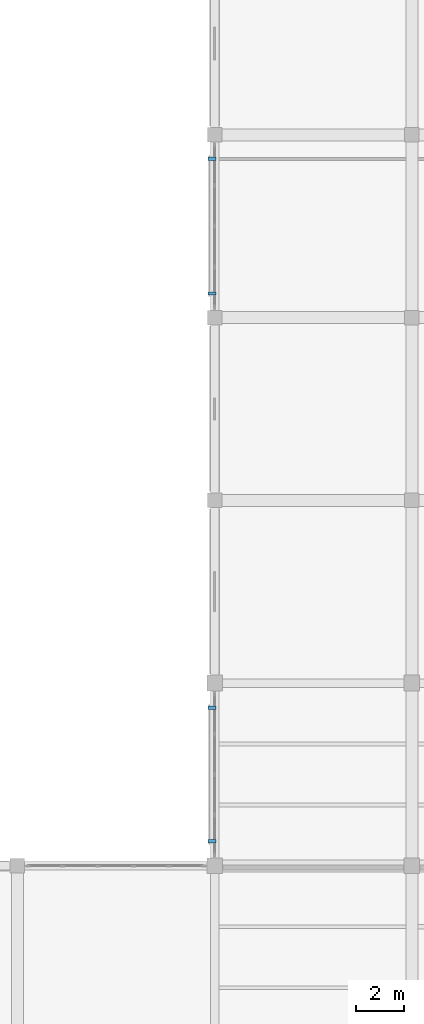
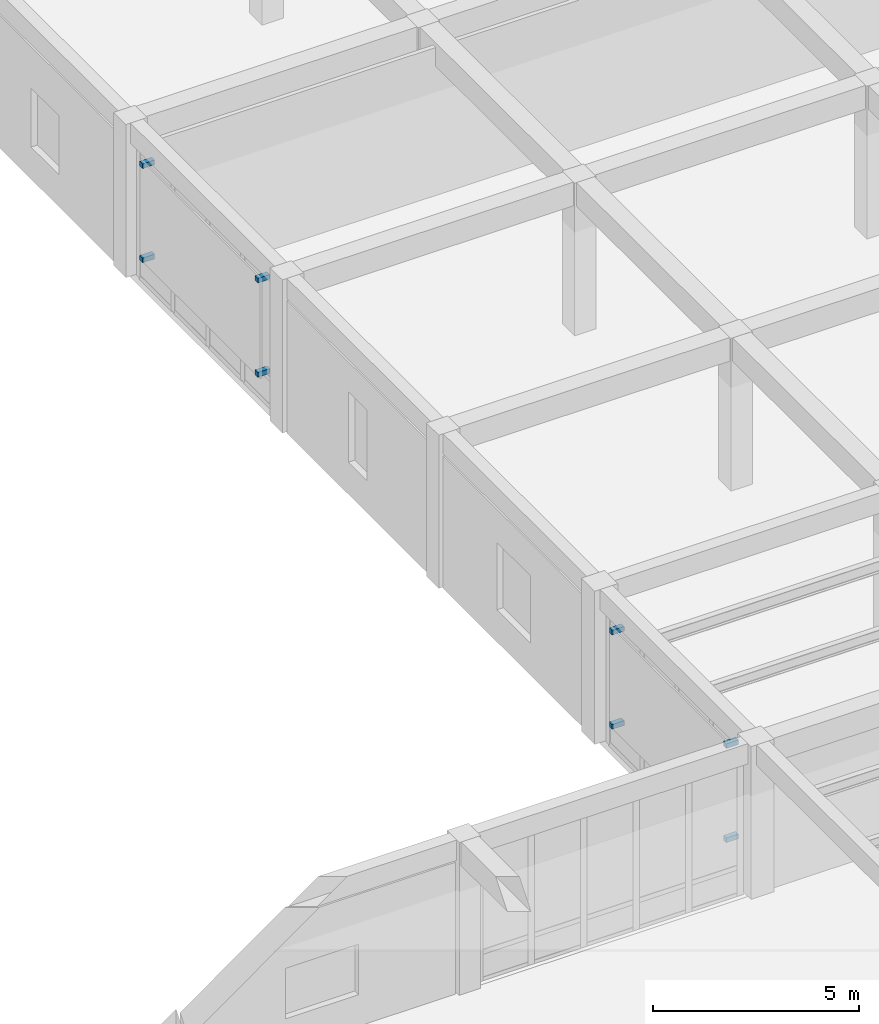
# One storey, part 42 of 49: 8 discrete accessories.
"""IFC4 building model written with IfcOpenShell, lengths in metres."""

from ifc_helpers import new_model, si_unit, direction, frame, origin, origin_2d, place, context, subcontext, project, spatial, rectangle, extrude, material, type_object, element, save


model = new_model("IFC4")

# Units and contexts
model_context = context("Model", 3, precision=1e-05, world=origin(), true_north=direction((0.0, 1.0)))
body_context = subcontext(model_context, "Body", "Model", "MODEL_VIEW")
ifc_project = project(units=[si_unit("LENGTHUNIT", "METRE"), si_unit("AREAUNIT", "SQUARE_METRE"), si_unit("VOLUMEUNIT", "CUBIC_METRE"), si_unit("PLANEANGLEUNIT", "RADIAN"), si_unit("MASSUNIT", "GRAM", prefix="KILO")], contexts=[model_context])

# Site, building, storey
site_placement = place(None, origin())
site = spatial("IfcSite", under=ifc_project, at=site_placement, CompositionType="ELEMENT")
building_placement = place(site_placement, origin())
building = spatial("IfcBuilding", under=site, at=building_placement, Name="Qandaris Square Conservatory and Botanical Centre", CompositionType="ELEMENT")
storey_placement = place(building_placement, frame((0.0, 0.0, 10.199951171875)))
storey = spatial("IfcBuildingStorey", under=building, at=storey_placement, Name="L02", CompositionType="ELEMENT", Elevation=10.199951171875)

# Discrete accessories
ifc_material = material(Name="Steel S355", Category="steel")
discrete_accessory_type = type_object("IfcDiscreteAccessoryType", Name="Mashrabiya Support Outrigger Bracket", PredefinedType="BRACKET", material=ifc_material)
for number, where, z_axis, x_axis, name in (
    (1, (114.489990234375, 68.800048828125, 0.89990234375), (0.0, 0.0, 1.0), (0.0, -1.0, 0.0), "Mashrabiya Bracket CW-TWR-L02-4-5-BRK-6-112"),
    (2, (114.489990234375, 68.800048828125, 3.6953125), (0.0, 0.0, 1.0), (0.0, -1.0, 0.0), "Mashrabiya Bracket CW-TWR-L02-4-5-BRK-6-140"),
    (3, (114.489990234375, 63.199951171875, 0.89990234375), (0.0, 0.0, 1.0), (0.0, -1.0, 0.0), "Mashrabiya Bracket CW-TWR-L02-4-5-BRK-62-112"),
    (4, (114.489990234375, 63.199951171875, 3.6953125), (0.0, 0.0, 1.0), (0.0, -1.0, 0.0), "Mashrabiya Bracket CW-TWR-L02-4-5-BRK-62-140"),
    (5, (114.489990234375, 45.97509765625, 0.89990234375), (0.0, 0.0, 1.0), (0.0, -1.0, 0.0), "Mashrabiya Bracket CW-TWR-L02-4-8-BRK-6-112"),
    (6, (114.489990234375, 45.97509765625, 3.6953125), (0.0, 0.0, 1.0), (0.0, -1.0, 0.0), "Mashrabiya Bracket CW-TWR-L02-4-8-BRK-6-140"),
    (7, (114.489990234375, 40.425048828125, 0.89990234375), (0.0, 0.0, 1.0), (0.0, -1.0, 0.0), "Mashrabiya Bracket CW-TWR-L02-4-8-BRK-62-112"),
    (8, (114.489990234375, 40.425048828125, 3.6953125), (0.0, 0.0, 1.0), (0.0, -1.0, 0.0), "Mashrabiya Bracket CW-TWR-L02-4-8-BRK-62-140"),
):
    element("IfcDiscreteAccessory", number, at=place(storey_placement, frame(where, z_axis=z_axis, x_axis=x_axis)), inside=storey, type_object=discrete_accessory_type, Name=name, PredefinedType="BRACKET", context=body_context, shape_type="SweptSolid", body=[
        extrude(rectangle(XDim=0.139892578125, YDim=0.340087890625, at=origin_2d()), origin(), (0.0, 0.0, 1.0), 0.139892578125),
    ])

save(model, "model.ifc")
